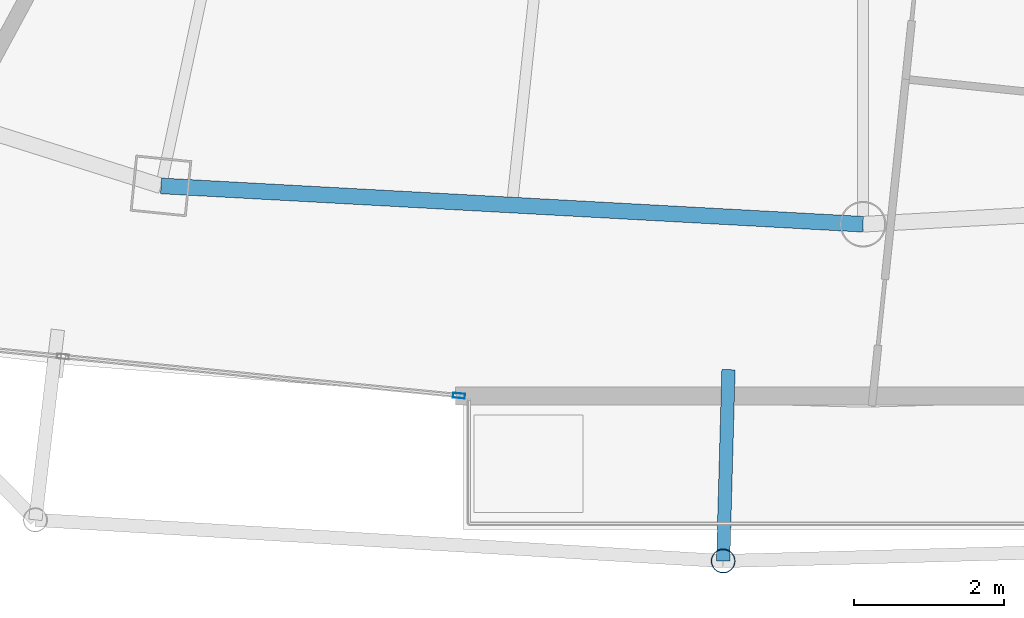
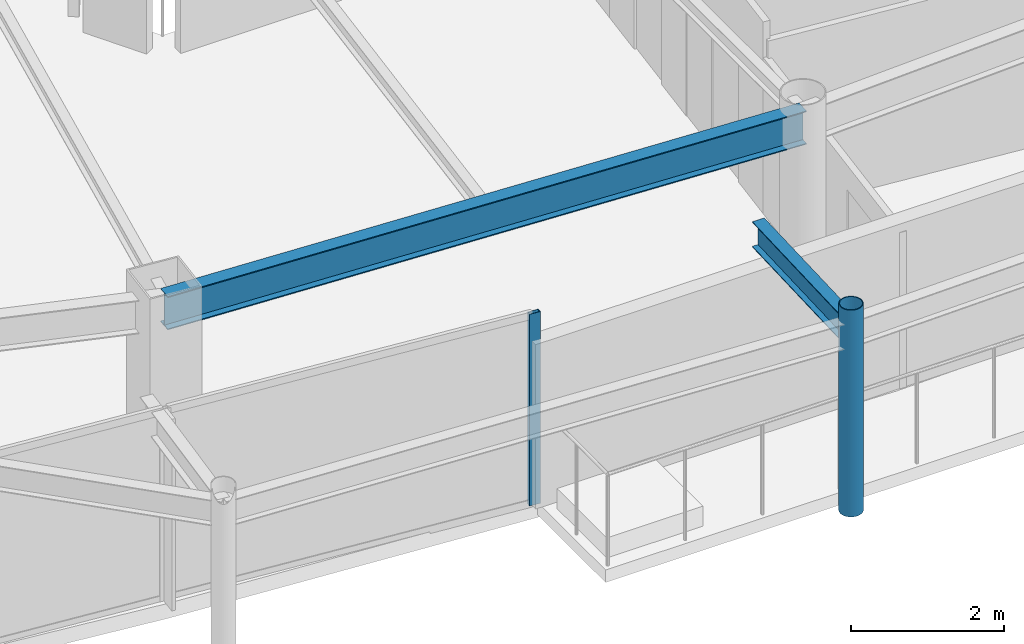
# One storey, part 8 of 33: 2 beams, 2 members, 1 element without a shape of its own.
"""IFC4 building model written with IfcOpenShell, lengths in metres."""

from ifc_helpers import new_model, si_unit, direction, frame, origin, origin_2d, place, context, subcontext, project, spatial, hollow_rectangle, hollow_circle, i_section, extrude, material, layer, layer_set, material_profile, profile_set, type_object, element, aggregate, save


model = new_model("IFC4")

# Units and contexts
model_context = context("Model", 3, precision=1e-05, world=origin(), true_north=direction((0.0, 1.0)))
body_context = subcontext(model_context, "Body", "Model", "MODEL_VIEW")
ifc_project = project(units=[si_unit("LENGTHUNIT", "METRE"), si_unit("AREAUNIT", "SQUARE_METRE"), si_unit("VOLUMEUNIT", "CUBIC_METRE"), si_unit("PLANEANGLEUNIT", "RADIAN"), si_unit("MASSUNIT", "GRAM", prefix="KILO")], contexts=[model_context])

# Site, building, storey
site_placement = place(None, origin())
site = spatial("IfcSite", under=ifc_project, at=site_placement, CompositionType="ELEMENT")
building_placement = place(site_placement, origin())
building = spatial("IfcBuilding", under=site, at=building_placement, Name="Orvanel Arch Residences", CompositionType="ELEMENT")
storey_placement = place(building_placement, frame((0.0, 0.0, 196.39990234375)))
storey = spatial("IfcBuildingStorey", under=building, at=storey_placement, Name="L55", CompositionType="ELEMENT", Elevation=196.39990234375)

# Curtain wall, member
ifc_material_1 = material(Name="Bronze-anodised aluminium AA6063-T6", Category="aluminium")
ifc_layer = layer(ifc_material_1, 0.175048828125)
ifc_layer_set = layer_set([ifc_layer], Name="Bronze-anodised aluminium AA6063-T6")
curtain_wall_type = type_object("IfcCurtainWallType", Name="CW4-HI-SYS", PredefinedType="NOTDEFINED", material=ifc_layer_set)
curtain_wall_placement = place(storey_placement, origin())
curtain_wall = element("IfcCurtainWall", 1, at=curtain_wall_placement, inside=storey, type_object=curtain_wall_type, Name="L55 CW4-HI-SYS Unitised Curtain Wall", PredefinedType="NOTDEFINED")
ifc_material_profile_1 = material_profile(ifc_material_1, hollow_rectangle(XDim=0.06494140625, YDim=0.159912109375, WallThickness=0.00390625, at=origin_2d()), Name="ALU160x65x4")
ifc_profile_set_1 = profile_set([ifc_material_profile_1], Name="Bronze-anodised aluminium AA6063-T6")
member_type_1 = type_object("IfcMemberType", Name="MUL-160x65", PredefinedType="MULLION", material=ifc_profile_set_1)
member_1_placement = place(storey_placement, frame((27.61865234375, 4.560302734375, 0.0), z_axis=(0.0, 0.0, 1.0), x_axis=(0.098417861591, 0.99514517761, 0.0)))
member_1 = element("IfcMember", 2, at=member_1_placement, type_object=member_type_1, Name="CW-S4 mullion 3", PredefinedType="MULLION", context=body_context, shape_type="SweptSolid", body=[
    extrude(hollow_rectangle(XDim=0.06494140625, YDim=0.159912109375, WallThickness=0.00390625, at=origin_2d()), origin(), (0.0, 0.0, 1.0), 3.06005859375),
])
aggregate(curtain_wall, [member_1])

# Beams
ifc_material_2 = material(Name="Structural steel AS/NZS 3679.1 Grade 300 (300 MPa)", Category="steel")
ifc_material_profile_2 = material_profile(ifc_material_2, i_section(OverallWidth=0.177978515625, OverallDepth=0.406005859375, WebThickness=0.0078125, FlangeThickness=0.0126953125, at=origin_2d()), Name="410UB59.7")
ifc_profile_set_2 = profile_set([ifc_material_profile_2], Name="Structural steel AS/NZS 3679.1 Grade 300 (300 MPa)")
beam_type_1 = type_object("IfcBeamType", Name="OB-410UB-EXT", PredefinedType="SPANDREL", material=ifc_profile_set_2)
beam_1_placement = place(storey_placement, frame((31.2080078125, 4.906982421875, 2.857177734375), z_axis=(-0.027860075025, -0.999611832773, 0.0), x_axis=(0.999611832773, -0.027860075025, 0.0)))
element("IfcBeam", 3, at=beam_1_placement, inside=storey, type_object=beam_type_1, Name="L55 Outer Frame Radial Tie Beam 06", PredefinedType="SPANDREL", context=body_context, shape_type="SweptSolid", body=[
    extrude(i_section(OverallWidth=0.177978515625, OverallDepth=0.406005859375, WebThickness=0.0078125, FlangeThickness=0.0126953125, at=origin_2d()), origin(), (0.0, 0.0, 1.0), 2.550048828125),
])
ifc_material_profile_3 = material_profile(ifc_material_2, i_section(OverallWidth=0.208984375, OverallDepth=0.532958984375, WebThickness=0.01025390625, FlangeThickness=0.015625, at=origin_2d()), Name="530UB92.4")
ifc_profile_set_3 = profile_set([ifc_material_profile_3], Name="Structural steel AS/NZS 3679.1 Grade 300 (300 MPa)")
beam_type_2 = type_object("IfcBeamType", Name="SP-530UB", PredefinedType="SPANDREL", material=ifc_profile_set_3)
beam_2_placement = place(storey_placement, frame((23.64892578125, 7.35498046875, 2.794189453125), z_axis=(0.998510315598, -0.054563262768, 0.0), x_axis=(0.054563262768, 0.998510315598, 0.0)))
element("IfcBeam", 4, at=beam_2_placement, inside=storey, type_object=beam_type_2, Name="L55 Perimeter Spandrel Beam 03", PredefinedType="SPANDREL", context=body_context, shape_type="SweptSolid", body=[
    extrude(i_section(OverallWidth=0.208984375, OverallDepth=0.532958984375, WebThickness=0.01025390625, FlangeThickness=0.015625, at=origin_2d()), origin(), (0.0, 0.0, 1.0), 9.364990234375),
])

# Member
ifc_material_3 = material(Name="Structural steel AS/NZS 1163 C350L0 (Grade 350)", Category="steel")
ifc_material_profile_4 = material_profile(ifc_material_3, hollow_circle(Radius=0.162109375, WallThickness=0.0126953125, at=origin_2d()), Name="CHS324x12.7")
ifc_profile_set_4 = profile_set([ifc_material_profile_4], Name="Structural steel AS/NZS 1163 C350L0 (Grade 350)")
member_type_2 = type_object("IfcMemberType", Name="ST-324CHS-EXT", PredefinedType="STRUT", material=ifc_profile_set_4)
member_2_placement = place(storey_placement, frame((31.136962890625, 2.35791015625, 0.0), z_axis=(0.0, 0.0, 1.0), x_axis=(1.0, 0.0, 0.0)))
element("IfcMember", 5, at=member_2_placement, inside=storey, type_object=member_type_2, Name="L55 Outer Perimeter Frame Post 06", PredefinedType="STRUT", context=body_context, shape_type="SweptSolid", body=[
    extrude(hollow_circle(Radius=0.162109375, WallThickness=0.0126953125, at=origin_2d()), origin(), (0.0, 0.0, 1.0), 3.300048828125),
])

save(model, "model.ifc")
